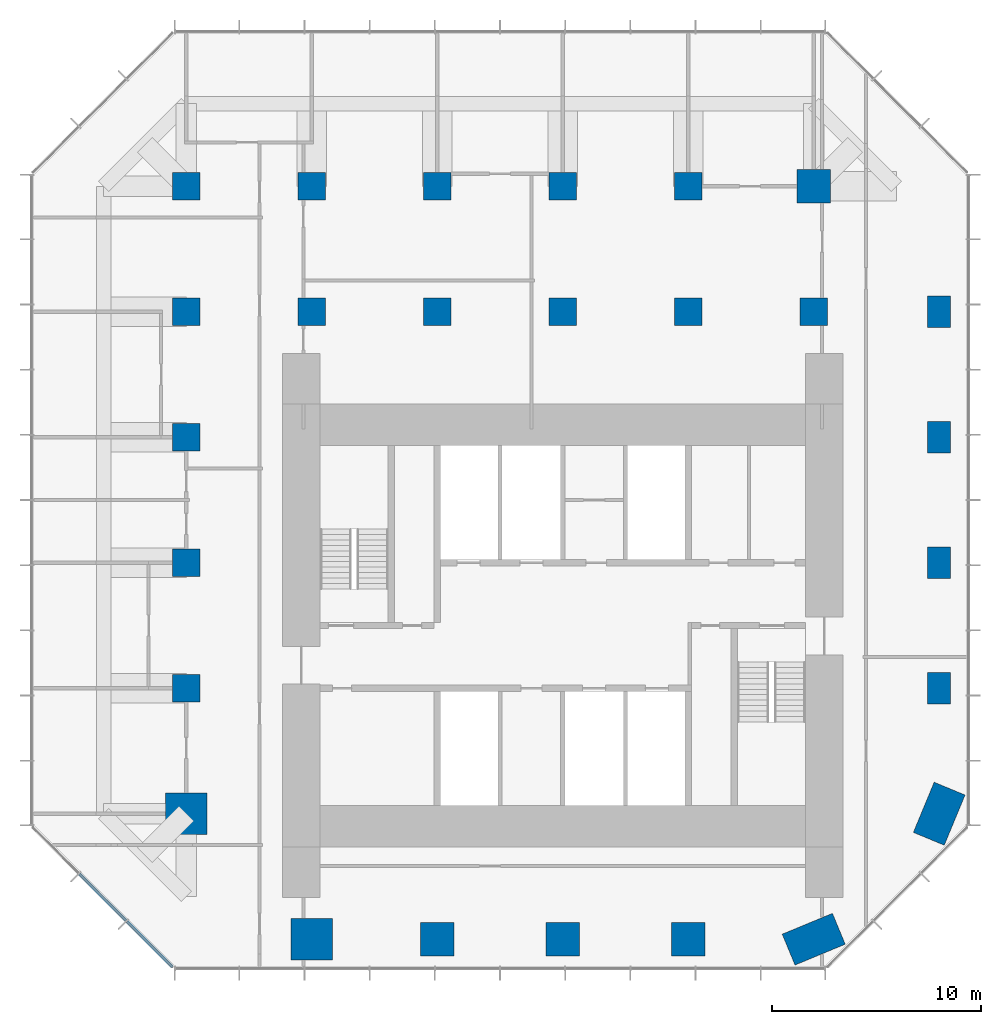
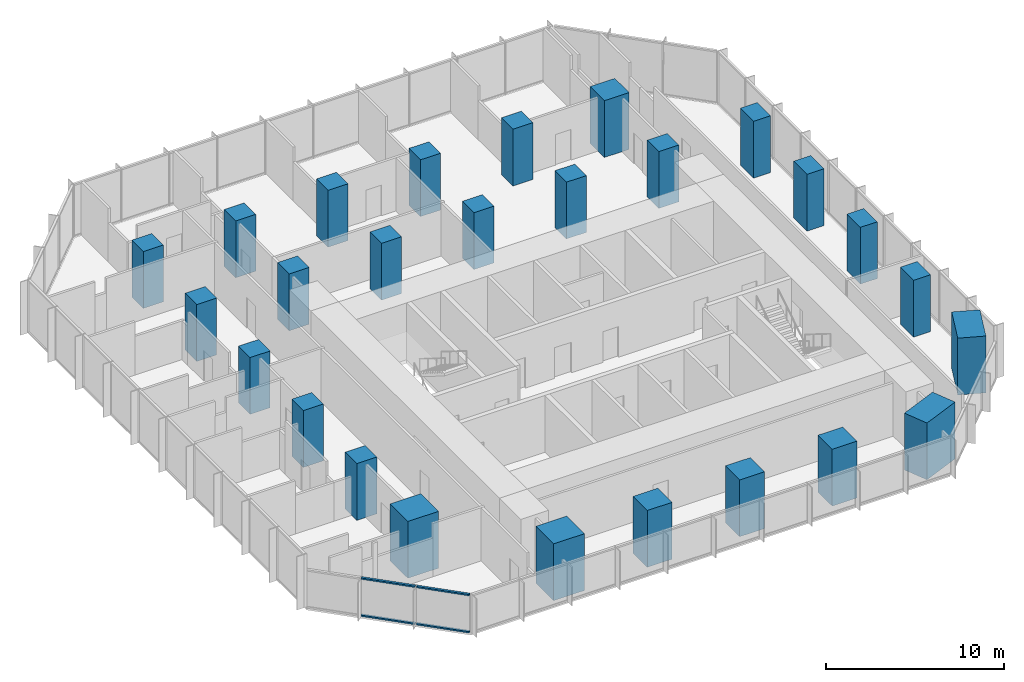
# One storey, part 1 of 11: 26 columns, 4 members, 1 element without a shape of its own.
"""IFC4 building model written with IfcOpenShell, lengths in metres."""

import ifcopenshell
import ifcopenshell.guid

model = None  # the IFC model being written
_history = None  # IfcOwnerHistory: only IFC2X3 demands one
_inside = {}  # id of a spatial element -> (the spatial element, [elements in it])
_under = {}  # id of a project, library or spatial element -> (it, [spatial elements below it])
_declared = {}  # id of a project -> (the project, [libraries it declares])
_typed = {}  # id of a type object -> (the type object, [elements of that type])
_made_of = {}  # id of a material, layer set ... -> (it, [elements and type objects made of it])


def new_model(schema):
    """Start an empty IFC model of exactly this schema.

    Asked for "IFC4X3", IfcOpenShell would pick the latest addendum, in which some entities
    have other attributes; the version numbers below select the first issue.
    IFC2X3 requires an IfcOwnerHistory on every rooted entity: one is made here for all.
    """
    global model, _history
    if schema == "IFC4X3":
        model = ifcopenshell.file(schema_version=(4, 3, 0, 0))
    else:
        model = ifcopenshell.file(schema=schema)
    _inside.clear()
    _under.clear()
    _declared.clear()
    _typed.clear()
    _made_of.clear()
    _history = None
    if model.schema == "IFC2X3":
        org = make("IfcOrganization", Name="unknown")
        user = make(
            "IfcPersonAndOrganization",
            ThePerson=make("IfcPerson", FamilyName="unknown"),
            TheOrganization=org,
        )
        app = make(
            "IfcApplication",
            ApplicationDeveloper=org,
            Version="unknown",
            ApplicationFullName="unknown",
            ApplicationIdentifier="unknown",
        )
        _history = make(
            "IfcOwnerHistory",
            OwningUser=user,
            OwningApplication=app,
            ChangeAction="ADDED",
            CreationDate=0,
        )
    return model


def make(cls, **values):
    """One entity of the class cls with the attributes given. An attribute that is None is left unset."""
    return model.create_entity(
        cls, **{name: value for name, value in values.items() if value is not None}
    )


def rooted(cls, **values):
    """An entity with a GlobalId (a new one), such as an element, a storey or a relation."""
    return make(cls, GlobalId=ifcopenshell.guid.new(), OwnerHistory=_history, **values)


def si_unit(unit_type, name, prefix=None):
    """IfcSIUnit, for example si_unit("LENGTHUNIT", "METRE", prefix="MILLI")."""
    return make("IfcSIUnit", UnitType=unit_type, Prefix=prefix, Name=name)


def assignment(units):
    """IfcUnitAssignment: the units of a project."""
    return None if units is None else make("IfcUnitAssignment", Units=units)


def point(xyz):
    """IfcCartesianPoint."""
    return None if xyz is None else make("IfcCartesianPoint", Coordinates=xyz)


def direction(xyz):
    """IfcDirection."""
    return None if xyz is None else make("IfcDirection", DirectionRatios=xyz)


def frame(location, z_axis=None, x_axis=None):
    """IfcAxis2Placement3D, a coordinate frame: its origin and axes. An axis left out is left unset."""
    return make(
        "IfcAxis2Placement3D",
        Location=point(location),
        Axis=direction(z_axis),
        RefDirection=direction(x_axis),
    )


def frame_2d(location, x_axis=None):
    """IfcAxis2Placement2D, a coordinate frame in the plane: its origin and x axis."""
    return make(
        "IfcAxis2Placement2D", Location=point(location), RefDirection=direction(x_axis)
    )


def origin():
    """The frame at (0, 0, 0) with its axes left unset."""
    return frame((0.0, 0.0, 0.0))


def origin_2d():
    """The frame at (0, 0) in the plane with its x axis left unset."""
    return frame_2d((0.0, 0.0))


def place(relative_to, where):
    """IfcLocalPlacement: puts the frame where relative to a parent placement (None: the world)."""
    return make(
        "IfcLocalPlacement", PlacementRelTo=relative_to, RelativePlacement=where
    )


def context(
    kind, dimensions, precision=None, world=None, true_north=None, identifier=None
):
    """IfcGeometricRepresentationContext, for example the 3D "Model" context."""
    return make(
        "IfcGeometricRepresentationContext",
        ContextIdentifier=identifier,
        ContextType=kind,
        CoordinateSpaceDimension=dimensions,
        Precision=precision,
        WorldCoordinateSystem=world,
        TrueNorth=true_north,
    )


def subcontext(parent, identifier, kind, view, scale=None):
    """IfcGeometricRepresentationSubContext, for example "Body" below "Model"."""
    return make(
        "IfcGeometricRepresentationSubContext",
        ContextIdentifier=identifier,
        ContextType=kind,
        ParentContext=parent,
        TargetScale=scale,
        TargetView=view,
    )


def project(units=None, contexts=None):
    """IfcProject with its units and contexts."""
    return rooted(
        "IfcProject",
        Name="project",
        RepresentationContexts=contexts,
        UnitsInContext=assignment(units),
    )


def spatial(cls, under=None, at=None, **own):
    """A site, building, storey or space (cls), placed at a placement, below another one or the project."""
    s = rooted(cls, ObjectPlacement=at, **own)
    if under is not None:
        _under.setdefault(under.id(), (under, []))[1].append(s)
    return s


def profile(cls, at=None, kind="AREA", **sizes):
    """A parametric profile (cls). Its sizes go by their IFC names, for example OverallWidth=200.0."""
    return make(cls, ProfileType=kind, Position=at, **sizes)


def rectangle(**sizes):
    """IfcRectangleProfileDef."""
    return profile("IfcRectangleProfileDef", **sizes)


def extrude(swept, where, along, depth):
    """IfcExtrudedAreaSolid: the profile swept, set in the frame where, extruded along a direction by depth."""
    return make(
        "IfcExtrudedAreaSolid",
        SweptArea=swept,
        Position=where,
        ExtrudedDirection=direction(along),
        Depth=depth,
    )


def shape(context_of_items, identifier, shape_type, items):
    """IfcShapeRepresentation: the items that make up one representation, for example the "Body"."""
    return make(
        "IfcShapeRepresentation",
        ContextOfItems=context_of_items,
        RepresentationIdentifier=identifier,
        RepresentationType=shape_type,
        Items=items,
    )


def material(Name=None, Category=None):
    """IfcMaterial."""
    return make("IfcMaterial", Name=Name, Category=Category)


def layer(
    of_material, thickness, ventilated=None, Name=None, Category=None, Priority=None
):
    """IfcMaterialLayer: one layer of a wall or slab, of a material (None: an air gap)."""
    return make(
        "IfcMaterialLayer",
        Material=of_material,
        LayerThickness=thickness,
        IsVentilated=ventilated,
        Name=Name,
        Category=Category,
        Priority=Priority,
    )


def layer_set(layers, Name=None):
    """IfcMaterialLayerSet."""
    return make("IfcMaterialLayerSet", MaterialLayers=layers, LayerSetName=Name)


def material_profile(
    of_material, cross_section, Name=None, Category=None, Priority=None
):
    """IfcMaterialProfile: a cross section and its material."""
    return make(
        "IfcMaterialProfile",
        Name=Name,
        Material=of_material,
        Profile=cross_section,
        Priority=Priority,
        Category=Category,
    )


def profile_set(profiles, Name=None, composite=None):
    """IfcMaterialProfileSet."""
    return make(
        "IfcMaterialProfileSet",
        Name=Name,
        MaterialProfiles=profiles,
        CompositeProfile=composite,
    )


def made_of(thing, what):
    """Note that an element or type object is made of a material, layer set ...; save() writes the relation."""
    if what is not None:
        _made_of.setdefault(what.id(), (what, []))[1].append(thing)
    return thing


def type_object(cls, material=None, **own):
    """A type object (cls), such as IfcWallType, which elements share."""
    return made_of(rooted(cls, **own), material)


def element(
    cls,
    number,
    at=None,
    inside=None,
    cuts=None,
    type_object=None,
    material=None,
    context=None,
    identifier="Body",
    shape_type=None,
    held_by="IfcProductDefinitionShape",
    body=None,
    shapes=None,
    **own,
):
    """One element of the class cls, such as IfcWall. Its Tag is "e" and its number.

    at: its placement. inside: the storey or other place that contains it. cuts: it is an
    opening in that element (IfcRelVoidsElement). A single representation is given by context,
    identifier, shape_type and body (its items); several are given by shapes. held_by: the class
    of the entity that holds the representations. save() writes the other relations.
    """
    e = rooted(cls, Tag="e%d" % number, ObjectPlacement=at, **own)
    if body is not None:
        shapes = [shape(context, identifier, shape_type, body)]
    if shapes is not None:
        e.Representation = make(held_by, Representations=shapes)
    if inside is not None:
        _inside.setdefault(inside.id(), (inside, []))[1].append(e)
    if cuts is not None:
        rooted(
            "IfcRelVoidsElement", RelatingBuildingElement=cuts, RelatedOpeningElement=e
        )
    if type_object is not None:
        _typed.setdefault(type_object.id(), (type_object, []))[1].append(e)
    return made_of(e, material)


def aggregate(whole, parts):
    """IfcRelAggregates: a whole, such as a stair, and the parts it consists of."""
    return rooted("IfcRelAggregates", RelatingObject=whole, RelatedObjects=parts)


def save(model, path):
    """Write the relations noted so far, then the file.

    IfcRelAggregates (storeys below a building ...), IfcRelContainedInSpatialStructure (elements
    in a storey), IfcRelDefinesByType, IfcRelAssociatesMaterial and IfcRelDeclares: one each for
    every whole, place, type object, material and project.
    """
    for whole, parts in _under.values():
        aggregate(whole, parts)
    for where, things in _inside.values():
        rooted(
            "IfcRelContainedInSpatialStructure",
            RelatedElements=things,
            RelatingStructure=where,
        )
    for kind, things in _typed.values():
        rooted("IfcRelDefinesByType", RelatedObjects=things, RelatingType=kind)
    for what, things in _made_of.values():
        rooted("IfcRelAssociatesMaterial", RelatedObjects=things, RelatingMaterial=what)
    for by, libraries in _declared.values():
        rooted("IfcRelDeclares", RelatingContext=by, RelatedDefinitions=libraries)
    model.write(path)


model = new_model("IFC4")

# Units and contexts
model_context = context("Model", 3, precision=1e-05, world=origin(), true_north=direction((0.0, 1.0)))
body_context = subcontext(model_context, "Body", "Model", "MODEL_VIEW")
ifc_project = project(units=[si_unit("LENGTHUNIT", "METRE"), si_unit("AREAUNIT", "SQUARE_METRE"), si_unit("VOLUMEUNIT", "CUBIC_METRE"), si_unit("PLANEANGLEUNIT", "RADIAN"), si_unit("MASSUNIT", "GRAM", prefix="KILO")], contexts=[model_context])

# Site, building, storey
site_placement = place(None, origin())
site = spatial("IfcSite", under=ifc_project, at=site_placement, CompositionType="ELEMENT")
building_placement = place(site_placement, origin())
building = spatial("IfcBuilding", under=site, at=building_placement, Name="Highveld Stack Headquarters", CompositionType="ELEMENT")
storey_placement = place(building_placement, frame((0.0, 0.0, 208.39990234375)))
storey = spatial("IfcBuildingStorey", under=building, at=storey_placement, Name="L51", CompositionType="ELEMENT", Elevation=208.39990234375)

# Columns
ifc_material_1 = material(Name="Concrete C60/75", Category="concrete")
ifc_material_profile_1 = material_profile(ifc_material_1, rectangle(XDim=1.300048828125, YDim=1.300048828125, at=origin_2d()), Name="RC 1300x1300")
ifc_profile_set_1 = profile_set([ifc_material_profile_1], Name="Concrete C60/75")
column_type_1 = type_object("IfcColumnType", Name="COLUMN RC 1300x1300 C60/75", PredefinedType="COLUMN", material=ifc_profile_set_1)
for number, where, z_axis, x_axis, name in (
    (1, (-12.0, 0.0, 0.0), (0.0, 0.0, 1.0), (1.0, 0.0, 0.0), "Column 4/E L51"),
    (2, (-12.0, 6.0, 0.0), (0.0, 0.0, 1.0), (1.0, 0.0, 0.0), "Column 4/F L51"),
    (3, (-12.0, 12.0, 0.0), (0.0, 0.0, 1.0), (1.0, 0.0, 0.0), "Column 4/G L51"),
    (4, (-12.0, 18.0, 0.0), (0.0, 0.0, 1.0), (1.0, 0.0, 0.0), "Column 4/H L51"),
    (5, (-12.0, 24.0, 0.0), (0.0, 0.0, 1.0), (1.0, 0.0, 0.0), "Column 4/J L51"),
    (6, (-6.0, 18.0, 0.0), (0.0, 0.0, 1.0), (1.0, 0.0, 0.0), "Column 5/H L51"),
    (7, (-6.0, 24.0, 0.0), (0.0, 0.0, 1.0), (1.0, 0.0, 0.0), "Column 5/J L51"),
    (8, (0.0, 18.0, 0.0), (0.0, 0.0, 1.0), (1.0, 0.0, 0.0), "Column 6/H L51"),
    (9, (0.0, 24.0, 0.0), (0.0, 0.0, 1.0), (1.0, 0.0, 0.0), "Column 6/J L51"),
    (10, (6.0, 18.0, 0.0), (0.0, 0.0, 1.0), (1.0, 0.0, 0.0), "Column 7/H L51"),
    (11, (6.0, 24.0, 0.0), (0.0, 0.0, 1.0), (1.0, 0.0, 0.0), "Column 7/J L51"),
    (12, (12.0, 18.0, 0.0), (0.0, 0.0, 1.0), (1.0, 0.0, 0.0), "Column 8/H L51"),
    (13, (12.0, 24.0, 0.0), (0.0, 0.0, 1.0), (1.0, 0.0, 0.0), "Column 8/J L51"),
    (14, (18.0, 18.0, 0.0), (0.0, 0.0, 1.0), (1.0, 0.0, 0.0), "Column 9/H L51"),
):
    element("IfcColumn", number, at=place(storey_placement, frame(where, z_axis=z_axis, x_axis=x_axis)), inside=storey, type_object=column_type_1, Name=name, PredefinedType="COLUMN", context=body_context, shape_type="SweptSolid", body=[
        extrude(rectangle(XDim=1.300048828125, YDim=1.300048828125, at=origin_2d()), origin(), (0.0, 0.0, 1.0), 3.900146484375),
    ])
ifc_material_2 = material(Name="Concrete C60/75", Category="concrete")
ifc_material_profile_2 = material_profile(ifc_material_2, rectangle(XDim=1.5, YDim=1.10009765625, at=origin_2d()), Name="RC 1500x1100")
ifc_profile_set_2 = profile_set([ifc_material_profile_2], Name="Concrete C60/75")
column_type_2 = type_object("IfcColumnType", Name="COLUMN RC 1500x1100 C60/75", PredefinedType="COLUMN", material=ifc_profile_set_2)
for number, where, z_axis, x_axis, name in (
    (15, (24.0, 0.0, 0.0), (0.0, 0.0, 1.0), (0.0, 1.0, 0.0), "Column 10/E L51"),
    (16, (24.0, 6.0, 0.0), (0.0, 0.0, 1.0), (0.0, 1.0, 0.0), "Column 10/F L51"),
    (17, (24.0, 12.0, 0.0), (0.0, 0.0, 1.0), (0.0, 1.0, 0.0), "Column 10/G L51"),
    (18, (24.0, 18.0, 0.0), (0.0, 0.0, 1.0), (0.0, 1.0, 0.0), "Column 10/H L51"),
):
    element("IfcColumn", number, at=place(storey_placement, frame(where, z_axis=z_axis, x_axis=x_axis)), inside=storey, type_object=column_type_2, Name=name, PredefinedType="COLUMN", context=body_context, shape_type="SweptSolid", body=[
        extrude(rectangle(XDim=1.5, YDim=1.10009765625, at=origin_2d()), origin(), (0.0, 0.0, 1.0), 3.900146484375),
    ])
ifc_material_3 = material(Name="Concrete C60/75", Category="concrete")
ifc_material_profile_3 = material_profile(ifc_material_3, rectangle(XDim=1.60009765625, YDim=1.60009765625, at=origin_2d()), Name="RC 1600x1600")
ifc_profile_set_3 = profile_set([ifc_material_profile_3], Name="Concrete C60/75")
column_type_3 = type_object("IfcColumnType", Name="COLUMN RC 1600x1600 C60/75", PredefinedType="COLUMN", material=ifc_profile_set_3)
for number, where, z_axis, x_axis, name in (
    (19, (0.0, -12.0, 0.0), (0.0, 0.0, 1.0), (1.0, 0.0, 0.0), "Column 6/C L51"),
    (20, (6.0, -12.0, 0.0), (0.0, 0.0, 1.0), (1.0, 0.0, 0.0), "Column 7/C L51"),
    (21, (12.0, -12.0, 0.0), (0.0, 0.0, 1.0), (1.0, 0.0, 0.0), "Column 8/C L51"),
    (22, (18.0, 24.0, 0.0), (0.0, 0.0, 1.0), (1.0, 0.0, 0.0), "Column 9/J L51"),
):
    element("IfcColumn", number, at=place(storey_placement, frame(where, z_axis=z_axis, x_axis=x_axis)), inside=storey, type_object=column_type_3, Name=name, PredefinedType="COLUMN", context=body_context, shape_type="SweptSolid", body=[
        extrude(rectangle(XDim=1.60009765625, YDim=1.60009765625, at=origin_2d()), origin(), (0.0, 0.0, 1.0), 3.900146484375),
    ])
ifc_material_4 = material(Name="Concrete C60/75", Category="concrete")
ifc_material_profile_4 = material_profile(ifc_material_4, rectangle(XDim=2.0, YDim=2.0, at=origin_2d()), Name="RC 2000x2000")
ifc_profile_set_4 = profile_set([ifc_material_profile_4], Name="Concrete C60/75")
column_type_4 = type_object("IfcColumnType", Name="COLUMN RC 2000x2000 C60/75", PredefinedType="COLUMN", material=ifc_profile_set_4)
for number, where, z_axis, x_axis, name in (
    (23, (-12.0, -6.0, 0.0), (0.0, 0.0, 1.0), (1.0, 0.0, 0.0), "Column 4/D L51"),
    (24, (-6.0, -12.0, 0.0), (0.0, 0.0, 1.0), (1.0, 0.0, 0.0), "Column 5/C L51"),
):
    element("IfcColumn", number, at=place(storey_placement, frame(where, z_axis=z_axis, x_axis=x_axis)), inside=storey, type_object=column_type_4, Name=name, PredefinedType="COLUMN", context=body_context, shape_type="SweptSolid", body=[
        extrude(rectangle(XDim=2.0, YDim=2.0, at=origin_2d()), origin(), (0.0, 0.0, 1.0), 3.900146484375),
    ])
ifc_material_5 = material(Name="Concrete C60/75", Category="concrete")
ifc_material_profile_5 = material_profile(ifc_material_5, rectangle(XDim=2.60009765625, YDim=1.60009765625, at=origin_2d()), Name="RC 2600x1600")
ifc_profile_set_5 = profile_set([ifc_material_profile_5], Name="Concrete C60/75")
column_type_5 = type_object("IfcColumnType", Name="COLUMN RC 2600x1600 C60/75", PredefinedType="COLUMN", material=ifc_profile_set_5)
for number, where, z_axis, x_axis, name in (
    (25, (18.0, -12.0, 0.0), (0.0, 0.0, 1.0), (-0.923879532511, -0.382683432365, 0.0), "Column 9/C L51"),
    (26, (24.0, -6.0, 0.0), (0.0, 0.0, 1.0), (-0.382683432365, -0.923879532511, 0.0), "Column 10/D L51"),
):
    element("IfcColumn", number, at=place(storey_placement, frame(where, z_axis=z_axis, x_axis=x_axis)), inside=storey, type_object=column_type_5, Name=name, PredefinedType="COLUMN", context=body_context, shape_type="SweptSolid", body=[
        extrude(rectangle(XDim=2.60009765625, YDim=1.60009765625, at=origin_2d()), origin(), (0.0, 0.0, 1.0), 3.900146484375),
    ])

# Curtain wall, members
ifc_material_6 = material(Name="Aluminium bronze anodised", Category="aluminium")
ifc_layer = layer(ifc_material_6, 0.199951171875)
ifc_layer_set = layer_set([ifc_layer], Name="Aluminium bronze anodised")
curtain_wall_type = type_object("IfcCurtainWallType", Name="CW2 TOWER CHAMFER UNITISED CURTAIN WALL", PredefinedType="NOTDEFINED", material=ifc_layer_set)
curtain_wall_placement = place(storey_placement, origin())
curtain_wall = element("IfcCurtainWall", 27, at=curtain_wall_placement, inside=storey, type_object=curtain_wall_type, Name="Curtain wall CW2 L51 SW", PredefinedType="NOTDEFINED")
ifc_material_7 = material(Name="Aluminium bronze anodised", Category="aluminium")
ifc_material_profile_6 = material_profile(ifc_material_7, rectangle(XDim=0.14990234375, YDim=0.10009765625, at=origin_2d()), Name="CW2 TRANSOM 150x100")
ifc_profile_set_6 = profile_set([ifc_material_profile_6], Name="Aluminium bronze anodised")
member_type = type_object("IfcMemberType", Name="CW2 STACK TRANSOM 150x100", PredefinedType="USERDEFINED", material=ifc_profile_set_6)
member_1_placement = place(storey_placement, frame((-17.103759765625, -8.876220703125, 0.050048828125), z_axis=(0.707106781187, -0.707106781187, 0.0), x_axis=(0.707106781187, 0.707106781187, 0.0)))
member_1 = element("IfcMember", 28, at=member_1_placement, type_object=member_type, Name="CW2 transom L51 2.1", ObjectType="TRANSOM", PredefinedType="USERDEFINED", context=body_context, shape_type="SweptSolid", body=[
    extrude(rectangle(XDim=0.14990234375, YDim=0.10009765625, at=origin_2d()), origin(), (0.0, 0.0, 1.0), 3.150146484375),
])
member_2_placement = place(storey_placement, frame((-17.103759765625, -8.876220703125, 2.60009765625), z_axis=(0.707106781187, -0.707106781187, 0.0), x_axis=(0.707106781187, 0.707106781187, 0.0)))
member_2 = element("IfcMember", 29, at=member_2_placement, type_object=member_type, Name="CW2 transom L51 2.2", ObjectType="TRANSOM", PredefinedType="USERDEFINED", context=body_context, shape_type="SweptSolid", body=[
    extrude(rectangle(XDim=0.14990234375, YDim=0.10009765625, at=origin_2d()), origin(), (0.0, 0.0, 1.0), 3.150146484375),
])
member_3_placement = place(storey_placement, frame((-14.830322265625, -11.149658203125, 0.050048828125), z_axis=(0.707106781187, -0.707106781187, 0.0), x_axis=(0.707106781187, 0.707106781187, 0.0)))
member_3 = element("IfcMember", 30, at=member_3_placement, type_object=member_type, Name="CW2 transom L51 3.1", ObjectType="TRANSOM", PredefinedType="USERDEFINED", context=body_context, shape_type="SweptSolid", body=[
    extrude(rectangle(XDim=0.14990234375, YDim=0.10009765625, at=origin_2d()), origin(), (0.0, 0.0, 1.0), 3.08251953125),
])
member_4_placement = place(storey_placement, frame((-14.830322265625, -11.149658203125, 2.60009765625), z_axis=(0.707106781187, -0.707106781187, 0.0), x_axis=(0.707106781187, 0.707106781187, 0.0)))
member_4 = element("IfcMember", 31, at=member_4_placement, type_object=member_type, Name="CW2 transom L51 3.2", ObjectType="TRANSOM", PredefinedType="USERDEFINED", context=body_context, shape_type="SweptSolid", body=[
    extrude(rectangle(XDim=0.14990234375, YDim=0.10009765625, at=origin_2d()), origin(), (0.0, 0.0, 1.0), 3.08251953125),
])
aggregate(curtain_wall, [member_1, member_2, member_3, member_4])

save(model, "model.ifc")
